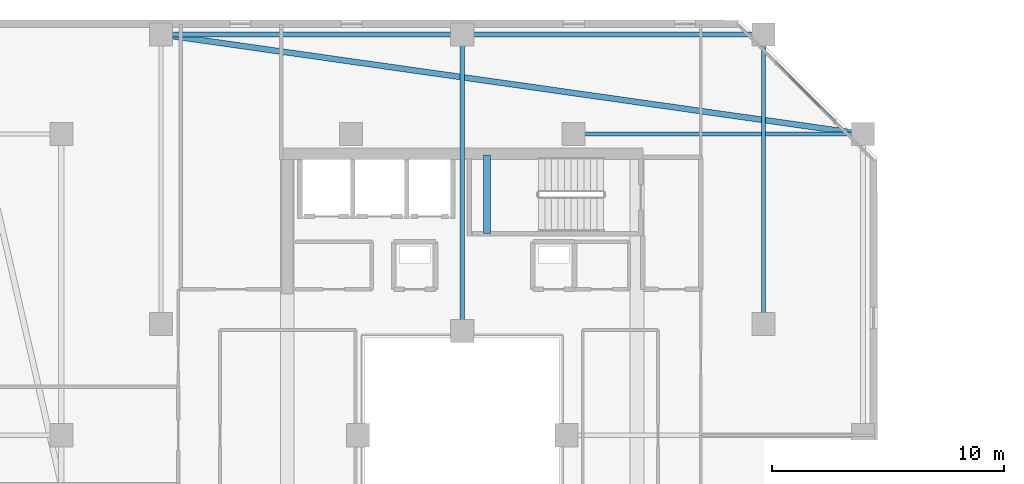
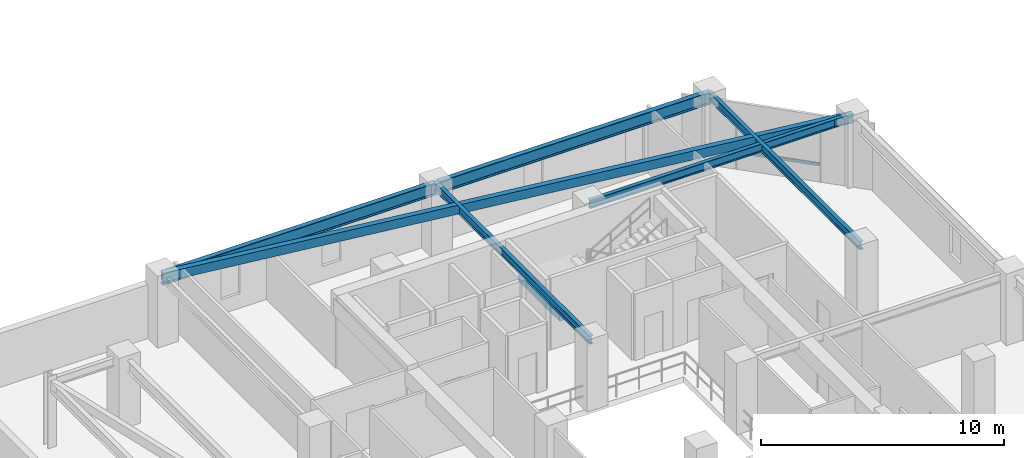
# One storey, part 8 of 31: 7 beams, 1 member, 1 element without a shape of its own.
"""IFC4 building model written with IfcOpenShell, lengths in metres."""

from ifc_helpers import new_model, si_unit, direction, frame, origin, origin_2d, place, context, subcontext, project, spatial, rectangle, hollow_rectangle, i_section, extrude, material, material_profile, profile_set, type_object, element, aggregate, save


model = new_model("IFC4")

# Units and contexts
model_context = context("Model", 3, precision=1e-05, world=origin(), true_north=direction((0.0, 1.0)))
body_context = subcontext(model_context, "Body", "Model", "MODEL_VIEW")
ifc_project = project(units=[si_unit("LENGTHUNIT", "METRE"), si_unit("AREAUNIT", "SQUARE_METRE"), si_unit("VOLUMEUNIT", "CUBIC_METRE"), si_unit("PLANEANGLEUNIT", "RADIAN"), si_unit("MASSUNIT", "GRAM", prefix="KILO")], contexts=[model_context])

# Site, building, storey
site_placement = place(None, origin())
site = spatial("IfcSite", under=ifc_project, at=site_placement, CompositionType="ELEMENT")
building_placement = place(site_placement, origin())
building = spatial("IfcBuilding", under=site, at=building_placement, Name="Thornwick Lancets Civic Towers", CompositionType="ELEMENT")
storey_placement = place(building_placement, frame((0.0, 0.0, 233.10009765625)))
storey = spatial("IfcBuildingStorey", under=building, at=storey_placement, Name="L62", CompositionType="ELEMENT", Elevation=233.10009765625)

# Beams
ifc_material_1 = material(Name="Steel S355JR", Category="steel")
ifc_material_profile_1 = material_profile(ifc_material_1, i_section(OverallWidth=0.230224609375, OverallDepth=0.6171875, WebThickness=0.01318359375, FlangeThickness=0.022216796875, FilletRadius=0.0126953125, at=origin_2d()), Name="UKB 610x229x140")
ifc_profile_set_1 = profile_set([ifc_material_profile_1], Name="Steel S355JR")
beam_type_1 = type_object("IfcBeamType", Name="BM_GIRD_610_140", PredefinedType="BEAM", material=ifc_profile_set_1)
beam_1_placement = place(storey_placement, frame((12.5, 44.300048828125, 3.05126953125), z_axis=(1.0, 0.0, 0.0), x_axis=(0.0, 1.0, 0.0)))
element("IfcBeam", 1, at=beam_1_placement, inside=storey, type_object=beam_type_1, Name="BM-SPINE-L62-A-6-7", PredefinedType="BEAM", context=body_context, shape_type="SweptSolid", body=[
    extrude(i_section(OverallWidth=0.230224609375, OverallDepth=0.6171875, WebThickness=0.01318359375, FlangeThickness=0.022216796875, FilletRadius=0.0126953125, at=origin_2d()), origin(), (0.0, 0.0, 1.0), 13.0),
])
beam_2_placement = place(storey_placement, frame((25.580078125, 44.300048828125, 3.05126953125), z_axis=(1.0, 0.0, 0.0), x_axis=(0.0, 1.0, 0.0)))
element("IfcBeam", 2, at=beam_2_placement, inside=storey, type_object=beam_type_1, Name="BM-SPINE-L62-A-7-8", PredefinedType="BEAM", context=body_context, shape_type="SweptSolid", body=[
    extrude(i_section(OverallWidth=0.230224609375, OverallDepth=0.6171875, WebThickness=0.01318359375, FlangeThickness=0.022216796875, FilletRadius=0.0126953125, at=origin_2d()), origin(), (0.0, 0.0, 1.0), 12.919921875),
])
ifc_material_profile_2 = material_profile(ifc_material_1, i_section(OverallWidth=0.179443359375, OverallDepth=0.412841796875, WebThickness=0.009521484375, FlangeThickness=0.01611328125, FilletRadius=0.01025390625, at=origin_2d()), Name="UKB 406x178x74")
ifc_profile_set_2 = profile_set([ifc_material_profile_2], Name="Steel S355JR")
beam_type_2 = type_object("IfcBeamType", Name="BM_JOIST_406_74", PredefinedType="JOIST", material=ifc_profile_set_2)
beam_3_placement = place(storey_placement, frame((30.300048828125, 40.0, 3.153564453125), z_axis=(1.0, 0.0, 0.0), x_axis=(0.0, 1.0, 0.0)))
element("IfcBeam", 3, at=beam_3_placement, inside=storey, type_object=beam_type_2, Name="BM-RADIN-L62-A06", PredefinedType="JOIST", context=body_context, shape_type="SweptSolid", body=[
    extrude(i_section(OverallWidth=0.179443359375, OverallDepth=0.412841796875, WebThickness=0.009521484375, FlangeThickness=0.01611328125, FilletRadius=0.01025390625, at=origin_2d()), origin(), (0.0, 0.0, 1.0), 12.5),
])
beam_4_placement = place(storey_placement, frame((25.5, 31.5, 3.153564453125), z_axis=(0.0, 1.0, 0.0), x_axis=(-1.0, 0.0, 0.0)))
element("IfcBeam", 4, at=beam_4_placement, inside=storey, type_object=beam_type_2, Name="BM-RADIN-L62-A08", PredefinedType="JOIST", context=body_context, shape_type="SweptSolid", body=[
    extrude(i_section(OverallWidth=0.179443359375, OverallDepth=0.412841796875, WebThickness=0.009521484375, FlangeThickness=0.01611328125, FilletRadius=0.01025390625, at=origin_2d()), origin(), (0.0, 0.0, 1.0), 12.800048828125),
])
beam_5_placement = place(storey_placement, frame((38.5, 31.800048828125, 3.153564453125), z_axis=(0.0, 1.0, 0.0), x_axis=(-1.0, 0.0, 0.0)))
element("IfcBeam", 5, at=beam_5_placement, inside=storey, type_object=beam_type_2, Name="BM-RADIN-L62-A09", PredefinedType="JOIST", context=body_context, shape_type="SweptSolid", body=[
    extrude(i_section(OverallWidth=0.179443359375, OverallDepth=0.412841796875, WebThickness=0.009521484375, FlangeThickness=0.01611328125, FilletRadius=0.01025390625, at=origin_2d()), origin(), (0.0, 0.0, 1.0), 12.5),
])
ifc_material_profile_3 = material_profile(ifc_material_1, hollow_rectangle(XDim=0.25, YDim=0.449951171875, WallThickness=0.01611328125, at=origin_2d()), Name="RHS 450x250x16")
ifc_profile_set_3 = profile_set([ifc_material_profile_3], Name="Steel S355JR")
beam_type_3 = type_object("IfcBeamType", Name="BM_RING_RHS450", PredefinedType="BEAM", material=ifc_profile_set_3)
beam_6_placement = place(storey_placement, frame((42.800048828125, 40.0, 3.135009765625), z_axis=(-0.990079584012, 0.140507712682, 0.0), x_axis=(-0.140507712682, -0.990079584012, 0.0)))
element("IfcBeam", 6, at=beam_6_placement, inside=storey, type_object=beam_type_3, Name="BM-CHAMF-L62-A-C1", PredefinedType="BEAM", context=body_context, shape_type="SweptSolid", body=[
    extrude(hollow_rectangle(XDim=0.25, YDim=0.449951171875, WallThickness=0.01611328125, at=origin_2d()), origin(), (0.0, 0.0, 1.0), 30.603759765625),
])
ifc_material_2 = material(Name="Concrete C40/50", Category="concrete")
ifc_material_profile_4 = material_profile(ifc_material_2, rectangle(XDim=0.300048828125, YDim=0.35009765625, at=origin_2d()), Name="RC 300x350")
ifc_profile_set_4 = profile_set([ifc_material_profile_4], Name="Concrete C40/50")
beam_type_4 = type_object("IfcBeamType", Name="BM_STAIR_LDG", PredefinedType="BEAM", material=ifc_profile_set_4)
beam_7_placement = place(storey_placement, frame((26.56494140625, 39.10009765625, 1.3779296875), z_axis=(0.0, -1.0, 0.0), x_axis=(1.0, 0.0, 0.0)))
element("IfcBeam", 7, at=beam_7_placement, inside=storey, type_object=beam_type_4, Name="L62 ST-A2 Landing Support Beam 1", PredefinedType="BEAM", context=body_context, shape_type="SweptSolid", body=[
    extrude(rectangle(XDim=0.300048828125, YDim=0.35009765625, at=origin_2d()), origin(), (0.0, 0.0, 1.0), 3.400146484375),
])

# Curtain wall, member
ifc_material_3 = material(Name="High-zone chamfered-corner unitised glass curtain wall", Category="glass")
curtain_wall_type = type_object("IfcCurtainWallType", Name="CW_SYS_05", PredefinedType="NOTDEFINED", material=ifc_material_3)
curtain_wall_placement = place(storey_placement, origin())
curtain_wall = element("IfcCurtainWall", 8, at=curtain_wall_placement, inside=storey, type_object=curtain_wall_type, Name="L62 Curtain Wall CW-L62-A-E3", PredefinedType="NOTDEFINED")
ifc_material_4 = material(Name="Thermally broken bronze aluminium S355", Category="steel")
ifc_material_profile_5 = material_profile(ifc_material_4, hollow_rectangle(XDim=0.074951171875, YDim=0.14990234375, WallThickness=0.0048828125, at=origin_2d()), Name="RHS 150x75x5")
ifc_profile_set_5 = profile_set([ifc_material_profile_5], Name="Thermally broken bronze aluminium S355")
member_type = type_object("IfcMemberType", Name="CW_TRN_150", PredefinedType="USERDEFINED", material=ifc_profile_set_5)
member_placement = place(storey_placement, frame((41.56494140625, 40.56103515625, 0.849853515625), z_axis=(-0.707106781187, 0.707106781187, 0.0), x_axis=(-0.707106781187, -0.707106781187, 0.0)))
member = element("IfcMember", 9, at=member_placement, type_object=member_type, Name="CW-L62-A-E3 Transom 0", ObjectType="TRANSOM", PredefinedType="USERDEFINED", context=body_context, shape_type="SweptSolid", body=[
    extrude(hollow_rectangle(XDim=0.074951171875, YDim=0.14990234375, WallThickness=0.0048828125, at=origin_2d()), origin(), (0.0, 0.0, 1.0), 3.541015625),
])
aggregate(curtain_wall, [member])

save(model, "model.ifc")
